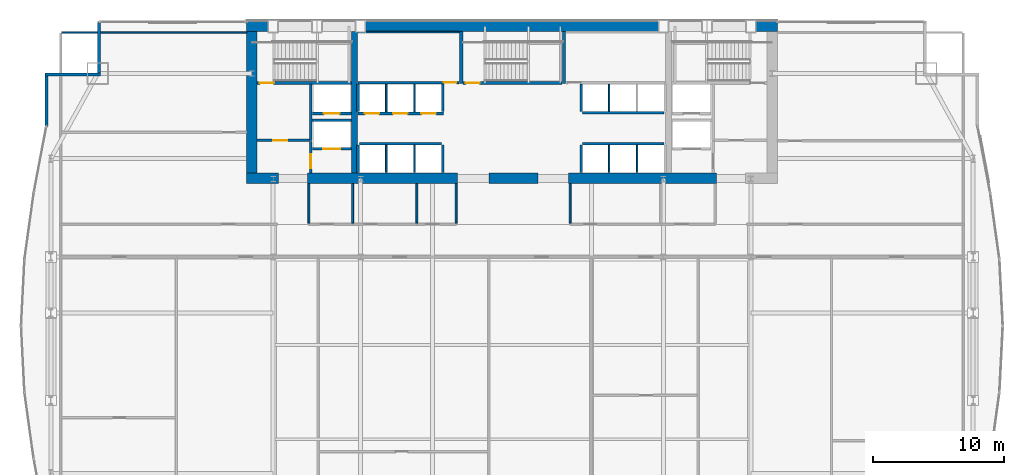
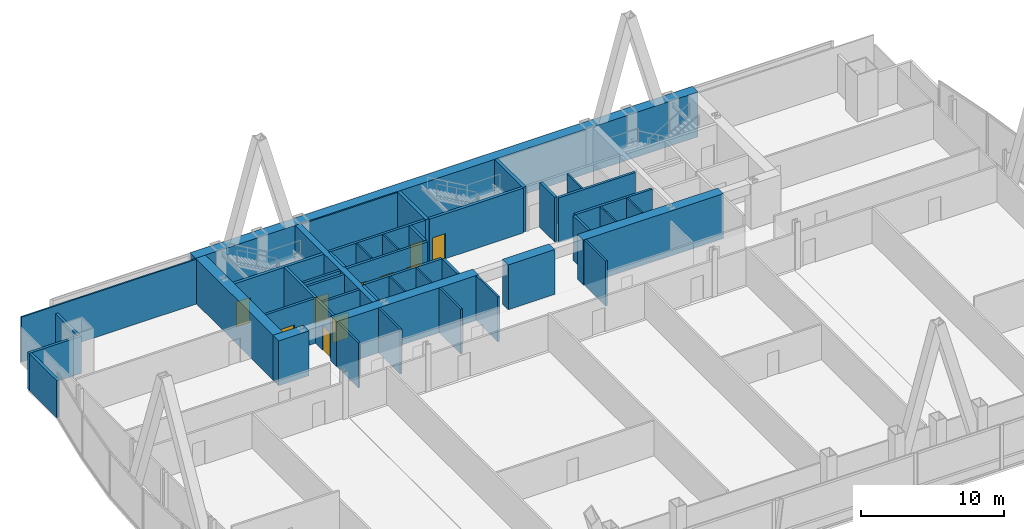
# One storey, part 32 of 37: 45 walls, 10 doors, 10 openings.
"""IFC4 building model written with IfcOpenShell, lengths in metres."""

from ifc_helpers import new_model, si_unit, direction, frame, frame_2d, origin, place, context, subcontext, project, spatial, rectangle, extrude, material, layer, layer_set, type_object, element, fill, save


model = new_model("IFC4")

# Units and contexts
model_context = context("Model", 3, precision=1e-05, world=origin(), true_north=direction((0.0, 1.0)))
body_context = subcontext(model_context, "Body", "Model", "MODEL_VIEW")
ifc_project = project(units=[si_unit("LENGTHUNIT", "METRE"), si_unit("AREAUNIT", "SQUARE_METRE"), si_unit("VOLUMEUNIT", "CUBIC_METRE"), si_unit("PLANEANGLEUNIT", "RADIAN"), si_unit("MASSUNIT", "GRAM", prefix="KILO")], contexts=[model_context])

# Site, building, storey
site_placement = place(None, origin())
site = spatial("IfcSite", under=ifc_project, at=site_placement, CompositionType="ELEMENT")
building_placement = place(site_placement, origin())
building = spatial("IfcBuilding", under=site, at=building_placement, Name="Khoronbel Lancet Exchange", CompositionType="ELEMENT")
storey_placement = place(building_placement, frame((0.0, 0.0, 61.800048828125)))
storey = spatial("IfcBuildingStorey", under=building, at=storey_placement, Name="L14", CompositionType="ELEMENT", Elevation=61.800048828125)

# Walls
ifc_material_1 = material(Name="Concrete C80/95", Category="concrete")
ifc_layer_1 = layer(ifc_material_1, 0.800048828125, Name="Concrete C80/95")
ifc_layer_set_1 = layer_set([ifc_layer_1], Name="Concrete C80/95")
wall_type_1 = type_object("IfcWallType", Name="WL-CW1", PredefinedType="SHEAR", material=ifc_layer_set_1)
wall_1_placement = place(storey_placement, frame((16.199951171875, 53.300048828125, 0.0), z_axis=(0.0, 0.0, 1.0), x_axis=(1.0, 0.0, 0.0)))
element("IfcWall", 1, at=wall_1_placement, inside=storey, type_object=wall_type_1, Name="Level L14 rear core north shear wall", PredefinedType="SHEAR", context=body_context, shape_type="SweptSolid", body=[
    extrude(rectangle(XDim=40.5, YDim=0.800048828125, at=frame_2d((20.25, 0.0))), origin(), (0.0, 0.0, 1.0), 3.820068359375),
])
wall_2_placement = place(storey_placement, frame((16.60009765625, 42.10009765625, 0.0), z_axis=(0.0, 0.0, 1.0), x_axis=(0.0, 1.0, 0.0)))
element("IfcWall", 2, at=wall_2_placement, inside=storey, type_object=wall_type_1, Name="Level L14 rear core west shear wall", PredefinedType="SHEAR", context=body_context, shape_type="SweptSolid", body=[
    extrude(rectangle(XDim=10.7998046875, YDim=0.800048828125, at=frame_2d((5.39990234375, 0.0))), origin(), (0.0, 0.0, 1.0), 3.820068359375),
])
wall_3_placement = place(storey_placement, frame((18.64990234375, 41.699951171875, 0.0), z_axis=(0.0, 0.0, 1.0), x_axis=(-1.0, 0.0, 0.0)))
element("IfcWall", 3, at=wall_3_placement, inside=storey, type_object=wall_type_1, Name="Level L14 rear core south shear wall pier P1", PredefinedType="SHEAR", context=body_context, shape_type="SweptSolid", body=[
    extrude(rectangle(XDim=2.449951171875, YDim=0.800048828125, at=frame_2d((1.22509765625, 0.0))), origin(), (0.0, 0.0, 1.0), 3.820068359375),
])
wall_4_placement = place(storey_placement, frame((32.300048828125, 41.699951171875, 0.0), z_axis=(0.0, 0.0, 1.0), x_axis=(-1.0, 0.0, 0.0)))
element("IfcWall", 4, at=wall_4_placement, inside=storey, type_object=wall_type_1, Name="Level L14 rear core south shear wall pier P2", PredefinedType="SHEAR", context=body_context, shape_type="SweptSolid", body=[
    extrude(rectangle(XDim=11.449951171875, YDim=0.800048828125, at=frame_2d((5.72509765625, 0.0))), origin(), (0.0, 0.0, 1.0), 3.820068359375),
])
wall_5_placement = place(storey_placement, frame((38.449951171875, 41.699951171875, 0.0), z_axis=(0.0, 0.0, 1.0), x_axis=(-1.0, 0.0, 0.0)))
element("IfcWall", 5, at=wall_5_placement, inside=storey, type_object=wall_type_1, Name="Level L14 rear core south shear wall pier P3", PredefinedType="SHEAR", context=body_context, shape_type="SweptSolid", body=[
    extrude(rectangle(XDim=3.75, YDim=0.800048828125, at=frame_2d((1.875, 0.0))), origin(), (0.0, 0.0, 1.0), 3.820068359375),
])
wall_6_placement = place(storey_placement, frame((52.050048828125, 41.699951171875, 0.0), z_axis=(0.0, 0.0, 1.0), x_axis=(-1.0, 0.0, 0.0)))
element("IfcWall", 6, at=wall_6_placement, inside=storey, type_object=wall_type_1, Name="Level L14 rear core south shear wall pier P4", PredefinedType="SHEAR", context=body_context, shape_type="SweptSolid", body=[
    extrude(rectangle(XDim=11.300048828125, YDim=0.800048828125, at=frame_2d((5.64990234375, 0.0))), origin(), (0.0, 0.0, 1.0), 3.820068359375),
])
ifc_material_2 = material(Name="Precast concrete C40/50", Category="concrete")
ifc_layer_2 = layer(ifc_material_2, 0.25, Name="Precast concrete C40/50")
ifc_layer_set_2 = layer_set([ifc_layer_2], Name="Precast concrete C40/50")
wall_type_2 = type_object("IfcWallType", Name="WL-EXT250", PredefinedType="SOLIDWALL", material=ifc_layer_set_2)
wall_7_placement = place(storey_placement, frame((0.93994140625, 45.67138671875, 0.0), z_axis=(0.0, 0.0, 1.0), x_axis=(0.0, 1.0, 0.0)))
element("IfcWall", 7, at=wall_7_placement, inside=storey, type_object=wall_type_2, Name="Level L14 notched-corner limestone pier 10", PredefinedType="SOLIDWALL", context=body_context, shape_type="SweptSolid", body=[
    extrude(rectangle(XDim=3.82861328125, YDim=0.219970703125, at=frame_2d((1.914306640625, 0.0))), origin(), (0.0, 0.0, 1.0), 3.159912109375),
])
wall_8_placement = place(storey_placement, frame((0.830078125, 49.610107421875, 0.0), z_axis=(0.0, 0.0, 1.0), x_axis=(1.0, 0.0, 0.0)))
element("IfcWall", 8, at=wall_8_placement, inside=storey, type_object=wall_type_2, Name="Level L14 notched-corner limestone pier 11", PredefinedType="SOLIDWALL", context=body_context, shape_type="SweptSolid", body=[
    extrude(rectangle(XDim=4.219970703125, YDim=0.219970703125, at=frame_2d((2.10986328125, 0.0))), origin(), (0.0, 0.0, 1.0), 3.159912109375),
])
wall_9_placement = place(storey_placement, frame((4.93994140625, 49.719970703125, 0.0), z_axis=(0.0, 0.0, 1.0), x_axis=(0.0, 1.0, 0.0)))
element("IfcWall", 9, at=wall_9_placement, inside=storey, type_object=wall_type_2, Name="Level L14 notched-corner limestone pier 12", PredefinedType="SOLIDWALL", context=body_context, shape_type="SweptSolid", body=[
    extrude(rectangle(XDim=3.909912109375, YDim=0.219970703125, at=frame_2d((1.955078125, 0.0))), origin(), (0.0, 0.0, 1.0), 3.159912109375),
])
ifc_material_3 = material(Name="Acoustic Metal-Stud & Mineral-Wool Gypsum Partition 120 mm", Category="gypsum")
ifc_layer_3 = layer(ifc_material_3, 0.1201171875, Name="Acoustic Metal-Stud & Mineral-Wool Gypsum Partition 120 mm")
ifc_layer_set_3 = layer_set([ifc_layer_3], Name="Acoustic Metal-Stud & Mineral-Wool Gypsum Partition 120 mm")
wall_type_3 = type_object("IfcWallType", Name="WL-PRT120", PredefinedType="PARTITIONING", material=ifc_layer_set_3)
for number, where, z_axis, x_axis, name in (
    (10, (20.949951171875, 38.280029296875, 0.0), (0.0, 0.0, 1.0), (0.0, 1.0, 0.0), "Level L14 interior partition PW-WC-0"),
    (11, (24.300048828125, 38.280029296875, 0.0), (0.0, 0.0, 1.0), (0.0, 1.0, 0.0), "Level L14 interior partition PW-WC-1"),
    (12, (29.199951171875, 38.280029296875, 0.0), (0.0, 0.0, 1.0), (0.0, 1.0, 0.0), "Level L14 interior partition PW-WC-2"),
    (13, (32.179931640625, 38.280029296875, 0.0), (0.0, 0.0, 1.0), (0.0, 1.0, 0.0), "Level L14 interior partition PW-WC-3"),
    (14, (40.8798828125, 38.280029296875, 0.0), (0.0, 0.0, 1.0), (0.0, 1.0, 0.0), "Level L14 interior partition PW-NP-0"),
):
    element("IfcWall", number, at=place(storey_placement, frame(where, z_axis=z_axis, x_axis=x_axis)), inside=storey, type_object=wall_type_3, Name=name, PredefinedType="PARTITIONING", context=body_context, shape_type="SweptSolid", body=[
        extrude(rectangle(XDim=3.02001953125, YDim=0.14990234375, at=frame_2d((1.510009765625, 0.0))), origin(), (0.0, 0.0, 1.0), 3.820068359375),
    ])
wall_10_placement = place(storey_placement, frame((2.094970703125, 52.840087890625, 0.0), z_axis=(0.0, 0.0, 1.0), x_axis=(1.0, 0.0, 0.0)))
element("IfcWall", 15, at=wall_10_placement, inside=storey, type_object=wall_type_3, Name="Level L14 interior partition PW-LIN-NW", PredefinedType="PARTITIONING", context=body_context, shape_type="SweptSolid", body=[
    extrude(rectangle(XDim=14.10498046875, YDim=0.1201171875, at=frame_2d((7.052490234375, 0.0))), origin(), (0.0, 0.0, 1.0), 3.820068359375),
])
ifc_material_4 = material(Name="Fire-Rated Metal-Stud & Mineral-Wool Gypsum Partition 120 mm", Category="gypsum")
ifc_layer_4 = layer(ifc_material_4, 0.1201171875, Name="Fire-Rated Metal-Stud & Mineral-Wool Gypsum Partition 120 mm")
ifc_layer_set_4 = layer_set([ifc_layer_4], Name="Fire-Rated Metal-Stud & Mineral-Wool Gypsum Partition 120 mm")
wall_type_4 = type_object("IfcWallType", Name="WL-PRT120F", PredefinedType="PARTITIONING", material=ifc_layer_set_4)
for number, where, z_axis, x_axis, name in (
    (16, (26.860107421875, 46.800048828125, 0.0), (0.0, 0.0, 1.0), (0.0, 1.0, 0.0), "Level L14 interior partition CW-PL-D1"),
    (17, (29.02001953125, 46.800048828125, 0.0), (0.0, 0.0, 1.0), (0.0, 1.0, 0.0), "Level L14 interior partition CW-PL-D2"),
):
    element("IfcWall", number, at=place(storey_placement, frame(where, z_axis=z_axis, x_axis=x_axis)), inside=storey, type_object=wall_type_4, Name=name, PredefinedType="PARTITIONING", context=body_context, shape_type="SweptSolid", body=[
        extrude(rectangle(XDim=2.094970703125, YDim=0.1201171875, at=frame_2d((1.04736328125, 0.0))), origin(), (0.0, 0.0, 1.0), 3.820068359375),
    ])
for number, where, z_axis, x_axis, name in (
    (18, (26.860107421875, 42.14990234375, 0.0), (0.0, 0.0, 1.0), (0.0, 1.0, 0.0), "Level L14 interior partition CW-PM-D1"),
    (19, (29.02001953125, 42.14990234375, 0.0), (0.0, 0.0, 1.0), (0.0, 1.0, 0.0), "Level L14 interior partition CW-PM-D2"),
):
    element("IfcWall", number, at=place(storey_placement, frame(where, z_axis=z_axis, x_axis=x_axis)), inside=storey, type_object=wall_type_4, Name=name, PredefinedType="PARTITIONING", context=body_context, shape_type="SweptSolid", body=[
        extrude(rectangle(XDim=2.09521484375, YDim=0.1201171875, at=frame_2d((1.047607421875, 0.0))), origin(), (0.0, 0.0, 1.0), 3.820068359375),
    ])
wall_11_placement = place(storey_placement, frame((43.860107421875, 46.804931640625, 0.0), z_axis=(0.0, 0.0, 1.0), x_axis=(0.0, 1.0, 0.0)))
element("IfcWall", 20, at=wall_11_placement, inside=storey, type_object=wall_type_4, Name="Level L14 interior partition CW-PH-D1", PredefinedType="PARTITIONING", context=body_context, shape_type="SweptSolid", body=[
    extrude(rectangle(XDim=2.090087890625, YDim=0.1201171875, at=frame_2d((1.044921875, 0.0))), origin(), (0.0, 0.0, 1.0), 3.820068359375),
])
for number, where, z_axis, x_axis, name in (
    (21, (43.860107421875, 42.14990234375, 0.0), (0.0, 0.0, 1.0), (0.0, 1.0, 0.0), "Level L14 interior partition CW-PX-D1"),
    (22, (46.0, 42.14990234375, 0.0), (0.0, 0.0, 1.0), (0.0, 1.0, 0.0), "Level L14 interior partition CW-PX-D2"),
):
    element("IfcWall", number, at=place(storey_placement, frame(where, z_axis=z_axis, x_axis=x_axis)), inside=storey, type_object=wall_type_4, Name=name, PredefinedType="PARTITIONING", context=body_context, shape_type="SweptSolid", body=[
        extrude(rectangle(XDim=2.09521484375, YDim=0.1201171875, at=frame_2d((1.047607421875, 0.0))), origin(), (0.0, 0.0, 1.0), 3.820068359375),
    ])
wall_12_placement = place(storey_placement, frame((24.699951171875, 52.860107421875, 0.0), z_axis=(0.0, 0.0, 1.0), x_axis=(1.0, 0.0, 0.0)))
element("IfcWall", 23, at=wall_12_placement, inside=storey, type_object=wall_type_4, Name="Level L14 interior partition CW-SUP-NW-N", PredefinedType="PARTITIONING", context=body_context, shape_type="SweptSolid", body=[
    extrude(rectangle(XDim=7.719970703125, YDim=0.1201171875, at=frame_2d((3.85986328125, 0.0))), origin(), (0.0, 0.0, 1.0), 3.820068359375),
])

# Wall, opening, door
ifc_material_5 = material(Name="Autoclaved Aerated Concrete Blockwork 200 mm", Category="masonry")
ifc_layer_5 = layer(ifc_material_5, 0.199951171875, Name="Autoclaved Aerated Concrete Blockwork 200 mm")
ifc_layer_set_5 = layer_set([ifc_layer_5], Name="Autoclaved Aerated Concrete Blockwork 200 mm")
wall_type_5 = type_object("IfcWallType", Name="WL-PRT200", PredefinedType="PARTITIONING", material=ifc_layer_set_5)
wall_13_placement = place(storey_placement, frame((24.2099609375, 43.949951171875, 0.0), z_axis=(0.0, 0.0, 1.0), x_axis=(-1.0, 0.0, 0.0)))
wall_13 = element("IfcWall", 24, at=wall_13_placement, inside=storey, type_object=wall_type_5, Name="Level L14 elevator hoistway landing front wall SVLW", PredefinedType="PARTITIONING", context=body_context, shape_type="SweptSolid", body=[
    extrude(rectangle(XDim=2.969970703125, YDim=0.199951171875, at=frame_2d((1.48486328125, 0.0))), origin(), (0.0, 0.0, 1.0), 3.820068359375),
])
opening_1_placement = place(wall_13_placement, frame((0.860107421875, 0.0, 0.0)))
opening_1 = element("IfcOpeningElement", 25, at=opening_1_placement, cuts=wall_13, Name="Opening LD-SVL1", PredefinedType="OPENING", context=body_context, shape_type="SweptSolid", body=[
    extrude(rectangle(XDim=1.300048828125, YDim=2.179931640625, at=frame_2d((0.64990234375, 1.08984375))), frame((0.0, 0.10986328125, 0.0), z_axis=(0.0, -1.0, 0.0), x_axis=(1.0, 0.0, 0.0)), (0.0, 0.0, 1.0), 0.219970703125),
])
ifc_material_6 = material(Name="Heavy-Duty Bi-Parting Goods Lift Landing Door", Category="steel")
door_type_1 = type_object("IfcDoorType", Name="DR-LD-SVL", OperationType="NOTDEFINED", PredefinedType="DOOR", material=ifc_material_6)
door_1_placement = place(opening_1_placement, origin())
door_1 = element("IfcDoor", 26, at=door_1_placement, inside=storey, type_object=door_type_1, Name="Elevator landing sliding door LD-SVL1 L14", OperationType="SLIDING_TO_LEFT", OverallHeight=2.179931640625, OverallWidth=1.300048828125, PredefinedType="DOOR", context=body_context, shape_type="SweptSolid", body=[
    extrude(rectangle(XDim=1.300048828125, YDim=2.179931640625, at=frame_2d((0.64990234375, 1.08984375))), frame((0.0, 0.02490234375, 0.0), z_axis=(0.0, -1.0, 0.0), x_axis=(1.0, 0.0, 0.0)), (0.0, 0.0, 1.0), 0.050048828125),
])
fill(opening_1, door_1)

wall_14_placement = place(storey_placement, frame((24.2099609375, 46.64990234375, 0.0), z_axis=(0.0, 0.0, 1.0), x_axis=(-1.0, 0.0, 0.0)))
wall_14 = element("IfcWall", 27, at=wall_14_placement, inside=storey, type_object=wall_type_5, Name="Level L14 elevator hoistway landing front wall FFLW", PredefinedType="PARTITIONING", context=body_context, shape_type="SweptSolid", body=[
    extrude(rectangle(XDim=2.969970703125, YDim=0.199951171875, at=frame_2d((1.48486328125, 0.0))), origin(), (0.0, 0.0, 1.0), 3.820068359375),
])
opening_2_placement = place(wall_14_placement, frame((0.909912109375, 0.0, 0.0)))
opening_2 = element("IfcOpeningElement", 28, at=opening_2_placement, cuts=wall_14, Name="Opening LD-FFL1", PredefinedType="OPENING", context=body_context, shape_type="SweptSolid", body=[
    extrude(rectangle(XDim=1.199951171875, YDim=2.179931640625, at=frame_2d((0.60009765625, 1.08984375))), frame((0.0, 0.10986328125, 0.0), z_axis=(0.0, -1.0, 0.0), x_axis=(1.0, 0.0, 0.0)), (0.0, 0.0, 1.0), 0.219970703125),
])
ifc_material_7 = material(Name="Fire-Rated Stainless Bi-Parting Firefighting Lift Door", Category="steel")
door_type_2 = type_object("IfcDoorType", Name="DR-LD-FFL", OperationType="NOTDEFINED", PredefinedType="DOOR", material=ifc_material_7)
door_2_placement = place(opening_2_placement, origin())
door_2 = element("IfcDoor", 29, at=door_2_placement, inside=storey, type_object=door_type_2, Name="Elevator landing sliding door LD-FFL1 L14", OperationType="SLIDING_TO_LEFT", OverallHeight=2.179931640625, OverallWidth=1.199951171875, PredefinedType="DOOR", context=body_context, shape_type="SweptSolid", body=[
    extrude(rectangle(XDim=1.199951171875, YDim=2.179931640625, at=frame_2d((0.60009765625, 1.08984375))), frame((0.0, 0.02490234375, 0.0), z_axis=(0.0, -1.0, 0.0), x_axis=(1.0, 0.0, 0.0)), (0.0, 0.0, 1.0), 0.050048828125),
])
fill(opening_2, door_2)

# Wall, openings, doors
wall_15_placement = place(storey_placement, frame((31.219970703125, 46.64990234375, 0.0), z_axis=(0.0, 0.0, 1.0), x_axis=(-1.0, 0.0, 0.0)))
wall_15 = element("IfcWall", 30, at=wall_15_placement, inside=storey, type_object=wall_type_5, Name="Level L14 elevator hoistway landing front wall PLW", PredefinedType="PARTITIONING", context=body_context, shape_type="SweptSolid", body=[
    extrude(rectangle(XDim=6.530029296875, YDim=0.199951171875, at=frame_2d((3.26513671875, 0.0))), origin(), (0.0, 0.0, 1.0), 3.820068359375),
])
opening_3_placement = place(wall_15_placement, frame((4.89990234375, 0.0, 0.0)))
opening_3 = element("IfcOpeningElement", 31, at=opening_3_placement, cuts=wall_15, Name="Opening LD-PL1", PredefinedType="OPENING", context=body_context, shape_type="SweptSolid", body=[
    extrude(rectangle(XDim=1.10009765625, YDim=2.179931640625, at=frame_2d((0.550048828125, 1.08984375))), frame((0.0, 0.10986328125, 0.0), z_axis=(0.0, -1.0, 0.0), x_axis=(1.0, 0.0, 0.0)), (0.0, 0.0, 1.0), 0.219970703125),
])
opening_4_placement = place(wall_15_placement, frame((2.739990234375, 0.0, 0.0)))
opening_4 = element("IfcOpeningElement", 32, at=opening_4_placement, cuts=wall_15, Name="Opening LD-PL2", PredefinedType="OPENING", context=body_context, shape_type="SweptSolid", body=[
    extrude(rectangle(XDim=1.10009765625, YDim=2.179931640625, at=frame_2d((0.550048828125, 1.08984375))), frame((0.0, 0.10986328125, 0.0), z_axis=(0.0, -1.0, 0.0), x_axis=(1.0, 0.0, 0.0)), (0.0, 0.0, 1.0), 0.219970703125),
])
opening_5_placement = place(wall_15_placement, frame((0.580078125, 0.0, 0.0)))
opening_5 = element("IfcOpeningElement", 33, at=opening_5_placement, cuts=wall_15, Name="Opening LD-PL3", PredefinedType="OPENING", context=body_context, shape_type="SweptSolid", body=[
    extrude(rectangle(XDim=1.10009765625, YDim=2.179931640625, at=frame_2d((0.550048828125, 1.08984375))), frame((0.0, 0.10986328125, 0.0), z_axis=(0.0, -1.0, 0.0), x_axis=(1.0, 0.0, 0.0)), (0.0, 0.0, 1.0), 0.219970703125),
])
ifc_material_8 = material(Name="Brushed Bronze Bi-Parting Elevator Landing Door", Category="steel")
door_type_3 = type_object("IfcDoorType", Name="DR-LD-PAX", OperationType="NOTDEFINED", PredefinedType="DOOR", material=ifc_material_8)
door_3_placement = place(opening_3_placement, origin())
door_3 = element("IfcDoor", 34, at=door_3_placement, inside=storey, type_object=door_type_3, Name="Elevator landing sliding door LD-PL1 L14", OperationType="SLIDING_TO_LEFT", OverallHeight=2.179931640625, OverallWidth=1.10009765625, PredefinedType="DOOR", context=body_context, shape_type="SweptSolid", body=[
    extrude(rectangle(XDim=1.10009765625, YDim=2.179931640625, at=frame_2d((0.550048828125, 1.08984375))), frame((0.0, 0.02490234375, 0.0), z_axis=(0.0, -1.0, 0.0), x_axis=(1.0, 0.0, 0.0)), (0.0, 0.0, 1.0), 0.050048828125),
])
fill(opening_3, door_3)
door_4_placement = place(opening_4_placement, origin())
door_4 = element("IfcDoor", 35, at=door_4_placement, inside=storey, type_object=door_type_3, Name="Elevator landing sliding door LD-PL2 L14", OperationType="SLIDING_TO_LEFT", OverallHeight=2.179931640625, OverallWidth=1.10009765625, PredefinedType="DOOR", context=body_context, shape_type="SweptSolid", body=[
    extrude(rectangle(XDim=1.10009765625, YDim=2.179931640625, at=frame_2d((0.550048828125, 1.08984375))), frame((0.0, 0.02490234375, 0.0), z_axis=(0.0, -1.0, 0.0), x_axis=(1.0, 0.0, 0.0)), (0.0, 0.0, 1.0), 0.050048828125),
])
fill(opening_4, door_4)
door_5_placement = place(opening_5_placement, origin())
door_5 = element("IfcDoor", 36, at=door_5_placement, inside=storey, type_object=door_type_3, Name="Elevator landing sliding door LD-PL3 L14", OperationType="SLIDING_TO_LEFT", OverallHeight=2.179931640625, OverallWidth=1.10009765625, PredefinedType="DOOR", context=body_context, shape_type="SweptSolid", body=[
    extrude(rectangle(XDim=1.10009765625, YDim=2.179931640625, at=frame_2d((0.550048828125, 1.08984375))), frame((0.0, 0.02490234375, 0.0), z_axis=(0.0, -1.0, 0.0), x_axis=(1.0, 0.0, 0.0)), (0.0, 0.0, 1.0), 0.050048828125),
])
fill(opening_5, door_5)

# Wall
wall_16_placement = place(storey_placement, frame((21.10009765625, 44.60009765625, 0.0), z_axis=(0.0, 0.0, 1.0), x_axis=(0.0, 1.0, 0.0)))
element("IfcWall", 37, at=wall_16_placement, inside=storey, type_object=wall_type_5, Name="Level L14 interior partition CW-FFLW-E", PredefinedType="PARTITIONING", context=body_context, shape_type="SweptSolid", body=[
    extrude(rectangle(XDim=4.2998046875, YDim=0.199951171875, at=frame_2d((2.14990234375, 0.0))), origin(), (0.0, 0.0, 1.0), 3.820068359375),
])

# Wall, opening, door
wall_17_placement = place(storey_placement, frame((17.0, 44.60009765625, 0.0), z_axis=(0.0, 0.0, 1.0), x_axis=(1.0, 0.0, 0.0)))
wall_17 = element("IfcWall", 38, at=wall_17_placement, inside=storey, type_object=wall_type_5, Name="Level L14 interior partition CW-FFLW-S", PredefinedType="PARTITIONING", context=body_context, shape_type="SweptSolid", body=[
    extrude(rectangle(XDim=4.0, YDim=0.199951171875, at=frame_2d((2.0, 0.0))), origin(), (0.0, 0.0, 1.0), 3.820068359375),
])
opening_6_placement = place(wall_17_placement, frame((1.25, 0.0, 0.0)))
opening_6 = element("IfcOpeningElement", 39, at=opening_6_placement, cuts=wall_17, Name="Opening FD1", PredefinedType="OPENING", context=body_context, shape_type="SweptSolid", body=[
    extrude(rectangle(XDim=1.050048828125, YDim=2.14990234375, at=frame_2d((0.52490234375, 1.074951171875))), frame((0.0, 0.10986328125, 0.0), z_axis=(0.0, -1.0, 0.0), x_axis=(1.0, 0.0, 0.0)), (0.0, 0.0, 1.0), 0.219970703125),
])
ifc_material_9 = material(Name="Fire-Rated Painted Steel Door Assembly", Category="steel")
door_type_4 = type_object("IfcDoorType", Name="DR-FD1", OperationType="NOTDEFINED", PredefinedType="DOOR", material=ifc_material_9)
door_6_placement = place(opening_6_placement, origin())
door_6 = element("IfcDoor", 40, at=door_6_placement, inside=storey, type_object=door_type_4, Name="West firefighting lobby FD90S door L14-1", OperationType="SINGLE_SWING_RIGHT", OverallHeight=2.14990234375, OverallWidth=1.050048828125, PredefinedType="DOOR", context=body_context, shape_type="SweptSolid", body=[
    extrude(rectangle(XDim=1.050048828125, YDim=2.14990234375, at=frame_2d((0.52490234375, 1.074951171875))), frame((0.0, 0.02490234375, 0.0), z_axis=(0.0, -1.0, 0.0), x_axis=(1.0, 0.0, 0.0)), (0.0, 0.0, 1.0), 0.050048828125),
])
fill(opening_6, door_6)

# Wall
wall_18_placement = place(storey_placement, frame((21.199951171875, 46.1201171875, 0.0), z_axis=(0.0, 0.0, 1.0), x_axis=(1.0, 0.0, 0.0)))
element("IfcWall", 41, at=wall_18_placement, inside=storey, type_object=wall_type_5, Name="Level L14 interior partition CW-FFL1-S", PredefinedType="PARTITIONING", context=body_context, shape_type="SweptSolid", body=[
    extrude(rectangle(XDim=3.02001953125, YDim=0.199951171875, at=frame_2d((1.510009765625, 0.0))), origin(), (0.0, 0.0, 1.0), 3.820068359375),
])

# Wall, opening, door
wall_19_placement = place(storey_placement, frame((21.10009765625, 42.10009765625, 0.0), z_axis=(0.0, 0.0, 1.0), x_axis=(0.0, 1.0, 0.0)))
wall_19 = element("IfcWall", 42, at=wall_19_placement, inside=storey, type_object=wall_type_5, Name="Level L14 interior partition CW-SVLW-W", PredefinedType="PARTITIONING", context=body_context, shape_type="SweptSolid", body=[
    extrude(rectangle(XDim=2.39501953125, YDim=0.199951171875, at=frame_2d((1.197509765625, 0.0))), origin(), (0.0, 0.0, 1.0), 3.820068359375),
])
opening_7_placement = place(wall_19_placement, frame((0.3798828125, 0.0, 0.0)))
opening_7 = element("IfcOpeningElement", 43, at=opening_7_placement, cuts=wall_19, Name="Opening FD1", PredefinedType="OPENING", context=body_context, shape_type="SweptSolid", body=[
    extrude(rectangle(XDim=1.050048828125, YDim=2.14990234375, at=frame_2d((0.52490234375, 1.074951171875))), frame((0.0, 0.10986328125, 0.0), z_axis=(0.0, -1.0, 0.0), x_axis=(1.0, 0.0, 0.0)), (0.0, 0.0, 1.0), 0.219970703125),
])
door_7_placement = place(opening_7_placement, origin())
door_7 = element("IfcDoor", 44, at=door_7_placement, inside=storey, type_object=door_type_4, Name="West service lift lobby door L14-1", OperationType="SINGLE_SWING_LEFT", OverallHeight=2.14990234375, OverallWidth=1.050048828125, PredefinedType="DOOR", context=body_context, shape_type="SweptSolid", body=[
    extrude(rectangle(XDim=1.050048828125, YDim=2.14990234375, at=frame_2d((0.52490234375, 1.074951171875))), frame((0.0, 0.02490234375, 0.0), z_axis=(0.0, -1.0, 0.0), x_axis=(1.0, 0.0, 0.0)), (0.0, 0.0, 1.0), 0.050048828125),
])
fill(opening_7, door_7)

# Walls
for number, where, z_axis, x_axis, name in (
    (45, (24.699951171875, 46.800048828125, 0.0), (0.0, 0.0, 1.0), (0.0, 1.0, 0.0), "Level L14 interior partition CW-PL-W"),
    (46, (31.179931640625, 46.800048828125, 0.0), (0.0, 0.0, 1.0), (0.0, 1.0, 0.0), "Level L14 interior partition CW-PL-E"),
):
    element("IfcWall", number, at=place(storey_placement, frame(where, z_axis=z_axis, x_axis=x_axis)), inside=storey, type_object=wall_type_5, Name=name, PredefinedType="PARTITIONING", context=body_context, shape_type="SweptSolid", body=[
        extrude(rectangle(XDim=2.094970703125, YDim=0.199951171875, at=frame_2d((1.04736328125, 0.0))), origin(), (0.0, 0.0, 1.0), 3.820068359375),
    ])
wall_20_placement = place(storey_placement, frame((24.804931640625, 44.35009765625, 0.0), z_axis=(0.0, 0.0, 1.0), x_axis=(1.0, 0.0, 0.0)))
element("IfcWall", 47, at=wall_20_placement, inside=storey, type_object=wall_type_5, Name="Level L14 interior partition CW-PM-EXP", PredefinedType="PARTITIONING", context=body_context, shape_type="SweptSolid", body=[
    extrude(rectangle(XDim=6.27001953125, YDim=0.199951171875, at=frame_2d((3.135009765625, 0.0))), origin(), (0.0, 0.0, 1.0), 3.820068359375),
])
for number, where, z_axis, x_axis, name in (
    (48, (24.699951171875, 42.14990234375, 0.0), (0.0, 0.0, 1.0), (0.0, 1.0, 0.0), "Level L14 interior partition CW-PM-W"),
    (49, (31.179931640625, 42.14990234375, 0.0), (0.0, 0.0, 1.0), (0.0, 1.0, 0.0), "Level L14 interior partition CW-PM-E"),
):
    element("IfcWall", number, at=place(storey_placement, frame(where, z_axis=z_axis, x_axis=x_axis)), inside=storey, type_object=wall_type_5, Name=name, PredefinedType="PARTITIONING", context=body_context, shape_type="SweptSolid", body=[
        extrude(rectangle(XDim=2.09521484375, YDim=0.199951171875, at=frame_2d((1.047607421875, 0.0))), origin(), (0.0, 0.0, 1.0), 3.820068359375),
    ])
wall_21_placement = place(storey_placement, frame((41.824951171875, 46.699951171875, 0.0), z_axis=(0.0, 0.0, 1.0), x_axis=(1.0, 0.0, 0.0)))
element("IfcWall", 50, at=wall_21_placement, inside=storey, type_object=wall_type_5, Name="Level L14 interior partition CW-PH-EXP", PredefinedType="PARTITIONING", context=body_context, shape_type="SweptSolid", body=[
    extrude(rectangle(XDim=6.2099609375, YDim=0.199951171875, at=frame_2d((3.10498046875, 0.0))), origin(), (0.0, 0.0, 1.0), 3.820068359375),
])
wall_22_placement = place(storey_placement, frame((41.719970703125, 46.804931640625, 0.0), z_axis=(0.0, 0.0, 1.0), x_axis=(0.0, 1.0, 0.0)))
element("IfcWall", 51, at=wall_22_placement, inside=storey, type_object=wall_type_5, Name="Level L14 interior partition CW-PH-W", PredefinedType="PARTITIONING", context=body_context, shape_type="SweptSolid", body=[
    extrude(rectangle(XDim=2.090087890625, YDim=0.199951171875, at=frame_2d((1.044921875, 0.0))), origin(), (0.0, 0.0, 1.0), 3.820068359375),
])
wall_23_placement = place(storey_placement, frame((41.824951171875, 44.35009765625, 0.0), z_axis=(0.0, 0.0, 1.0), x_axis=(1.0, 0.0, 0.0)))
element("IfcWall", 52, at=wall_23_placement, inside=storey, type_object=wall_type_5, Name="Level L14 interior partition CW-PX-EXP", PredefinedType="PARTITIONING", context=body_context, shape_type="SweptSolid", body=[
    extrude(rectangle(XDim=6.2099609375, YDim=0.199951171875, at=frame_2d((3.10498046875, 0.0))), origin(), (0.0, 0.0, 1.0), 3.820068359375),
])
wall_24_placement = place(storey_placement, frame((41.719970703125, 42.14990234375, 0.0), z_axis=(0.0, 0.0, 1.0), x_axis=(0.0, 1.0, 0.0)))
element("IfcWall", 53, at=wall_24_placement, inside=storey, type_object=wall_type_5, Name="Level L14 interior partition CW-PX-W", PredefinedType="PARTITIONING", context=body_context, shape_type="SweptSolid", body=[
    extrude(rectangle(XDim=2.09521484375, YDim=0.199951171875, at=frame_2d((1.047607421875, 0.0))), origin(), (0.0, 0.0, 1.0), 3.820068359375),
])

# Wall, opening, door
wall_25_placement = place(storey_placement, frame((24.699951171875, 49.0, 0.0), z_axis=(0.0, 0.0, 1.0), x_axis=(1.0, 0.0, 0.0)))
wall_25 = element("IfcWall", 54, at=wall_25_placement, inside=storey, type_object=wall_type_5, Name="Level L14 interior partition CW-SUP-NW-S", PredefinedType="PARTITIONING", context=body_context, shape_type="SweptSolid", body=[
    extrude(rectangle(XDim=7.719970703125, YDim=0.199951171875, at=frame_2d((3.85986328125, 0.0))), origin(), (0.0, 0.0, 1.0), 3.820068359375),
])
opening_8_placement = place(wall_25_placement, frame((6.56005859375, 0.0, 0.0)))
opening_8 = element("IfcOpeningElement", 55, at=opening_8_placement, cuts=wall_25, Name="Opening FD3", PredefinedType="OPENING", context=body_context, shape_type="SweptSolid", body=[
    extrude(rectangle(XDim=0.949951171875, YDim=2.10009765625, at=frame_2d((0.47509765625, 1.050048828125))), frame((0.0, 0.10986328125, 0.0), z_axis=(0.0, -1.0, 0.0), x_axis=(1.0, 0.0, 0.0)), (0.0, 0.0, 1.0), 0.219970703125),
])
ifc_material_10 = material(Name="Fire-Rated Steel Plant & Riser Door Assembly", Category="steel")
door_type_5 = type_object("IfcDoorType", Name="DR-FD3", OperationType="NOTDEFINED", PredefinedType="DOOR", material=ifc_material_10)
door_8_placement = place(opening_8_placement, origin())
door_8 = element("IfcDoor", 56, at=door_8_placement, inside=storey, type_object=door_type_5, Name="Core NW support room door L14-1", OperationType="SINGLE_SWING_RIGHT", OverallHeight=2.10009765625, OverallWidth=0.949951171875, PredefinedType="DOOR", context=body_context, shape_type="SweptSolid", body=[
    extrude(rectangle(XDim=0.949951171875, YDim=2.10009765625, at=frame_2d((0.47509765625, 1.050048828125))), frame((0.0, 0.02490234375, 0.0), z_axis=(0.0, -1.0, 0.0), x_axis=(1.0, 0.0, 0.0)), (0.0, 0.0, 1.0), 0.050048828125),
])
fill(opening_8, door_8)

# Walls
ifc_layer_6 = layer(ifc_material_1, 0.449951171875, Name="Concrete C80/95")
ifc_layer_set_6 = layer_set([ifc_layer_6], Name="Concrete C80/95")
wall_type_6 = type_object("IfcWallType", Name="WL-SW1", PredefinedType="SHEAR", material=ifc_layer_set_6)
wall_26_placement = place(storey_placement, frame((24.449951171875, 42.10009765625, 0.0), z_axis=(0.0, 0.0, 1.0), x_axis=(0.0, 1.0, 0.0)))
element("IfcWall", 57, at=wall_26_placement, inside=storey, type_object=wall_type_6, Name="Level L14 rear core internal spine shear wall IW", PredefinedType="SHEAR", context=body_context, shape_type="SweptSolid", body=[
    extrude(rectangle(XDim=10.7998046875, YDim=0.449951171875, at=frame_2d((5.39990234375, 0.0))), origin(), (0.0, 0.0, 1.0), 3.820068359375),
])
ifc_material_11 = material(Name="Concrete C60/75", Category="concrete")
ifc_layer_7 = layer(ifc_material_11, 0.260009765625, Name="Concrete C60/75")
ifc_layer_set_7 = layer_set([ifc_layer_7], Name="Concrete C60/75")
wall_type_7 = type_object("IfcWallType", Name="WL-SW3", PredefinedType="SHEAR", material=ifc_layer_set_7)
for number, where, z_axis, x_axis, name in (
    (58, (32.580078125, 48.949951171875, 0.0), (0.0, 0.0, 1.0), (0.0, 1.0, 0.0), "Level L14 central stairwell structural shear wall ST3W"),
    (59, (40.419921875, 48.949951171875, 0.0), (0.0, 0.0, 1.0), (0.0, 1.0, 0.0), "Level L14 central stairwell structural shear wall ST3E"),
):
    element("IfcWall", number, at=place(storey_placement, frame(where, z_axis=z_axis, x_axis=x_axis)), inside=storey, type_object=wall_type_7, Name=name, PredefinedType="SHEAR", context=body_context, shape_type="SweptSolid", body=[
        extrude(rectangle(XDim=3.949951171875, YDim=0.260009765625, at=frame_2d((1.97509765625, 0.0))), origin(), (0.0, 0.0, 1.0), 3.820068359375),
    ])

# Wall, opening, door
wall_27_placement = place(storey_placement, frame((17.0, 48.97998046875, 0.0), z_axis=(0.0, 0.0, 1.0), x_axis=(1.0, 0.0, 0.0)))
wall_27 = element("IfcWall", 60, at=wall_27_placement, inside=storey, type_object=wall_type_7, Name="Level L14 west stairwell structural south wall", PredefinedType="SHEAR", context=body_context, shape_type="SweptSolid", body=[
    extrude(rectangle(XDim=7.219970703125, YDim=0.239990234375, at=frame_2d((3.60986328125, 0.0))), origin(), (0.0, 0.0, 1.0), 3.820068359375),
])
opening_9_placement = place(wall_27_placement, frame((0.219970703125, 0.0, 0.0)))
opening_9 = element("IfcOpeningElement", 61, at=opening_9_placement, cuts=wall_27, Name="Opening SD1", PredefinedType="OPENING", context=body_context, shape_type="SweptSolid", body=[
    extrude(rectangle(XDim=1.050048828125, YDim=2.14990234375, at=frame_2d((0.52490234375, 1.074951171875))), frame((0.0, 0.1298828125, 0.0), z_axis=(0.0, -1.0, 0.0), x_axis=(1.0, 0.0, 0.0)), (0.0, 0.0, 1.0), 0.260009765625),
])
ifc_material_12 = material(Name="Fire-Rated Steel Stairwell Door Assembly", Category="steel")
door_type_6 = type_object("IfcDoorType", Name="DR-SD1", OperationType="NOTDEFINED", PredefinedType="DOOR", material=ifc_material_12)
door_9_placement = place(opening_9_placement, origin())
door_9 = element("IfcDoor", 62, at=door_9_placement, inside=storey, type_object=door_type_6, Name="Protected exit stair ST1 door L14", OperationType="SINGLE_SWING_LEFT", OverallHeight=2.14990234375, OverallWidth=1.050048828125, PredefinedType="DOOR", context=body_context, shape_type="SweptSolid", body=[
    extrude(rectangle(XDim=1.050048828125, YDim=2.14990234375, at=frame_2d((0.52490234375, 1.074951171875))), frame((0.0, 0.02490234375, 0.0), z_axis=(0.0, -1.0, 0.0), x_axis=(1.0, 0.0, 0.0)), (0.0, 0.0, 1.0), 0.050048828125),
])
fill(opening_9, door_9)

wall_28_placement = place(storey_placement, frame((32.719970703125, 48.97998046875, 0.0), z_axis=(0.0, 0.0, 1.0), x_axis=(1.0, 0.0, 0.0)))
wall_28 = element("IfcWall", 63, at=wall_28_placement, inside=storey, type_object=wall_type_7, Name="Level L14 central stairwell structural south wall", PredefinedType="SHEAR", context=body_context, shape_type="SweptSolid", body=[
    extrude(rectangle(XDim=7.56005859375, YDim=0.239990234375, at=frame_2d((3.780029296875, 0.0))), origin(), (0.0, 0.0, 1.0), 3.820068359375),
])
opening_10_placement = place(wall_28_placement, frame((0.219970703125, 0.0, 0.0)))
opening_10 = element("IfcOpeningElement", 64, at=opening_10_placement, cuts=wall_28, Name="Opening SD1", PredefinedType="OPENING", context=body_context, shape_type="SweptSolid", body=[
    extrude(rectangle(XDim=1.050048828125, YDim=2.14990234375, at=frame_2d((0.52490234375, 1.074951171875))), frame((0.0, 0.1298828125, 0.0), z_axis=(0.0, -1.0, 0.0), x_axis=(1.0, 0.0, 0.0)), (0.0, 0.0, 1.0), 0.260009765625),
])
door_10_placement = place(opening_10_placement, origin())
door_10 = element("IfcDoor", 65, at=door_10_placement, inside=storey, type_object=door_type_6, Name="Protected exit stair ST3 door L14", OperationType="SINGLE_SWING_LEFT", OverallHeight=2.14990234375, OverallWidth=1.050048828125, PredefinedType="DOOR", context=body_context, shape_type="SweptSolid", body=[
    extrude(rectangle(XDim=1.050048828125, YDim=2.14990234375, at=frame_2d((0.52490234375, 1.074951171875))), frame((0.0, 0.02490234375, 0.0), z_axis=(0.0, -1.0, 0.0), x_axis=(1.0, 0.0, 0.0)), (0.0, 0.0, 1.0), 0.050048828125),
])
fill(opening_10, door_10)

save(model, "model.ifc")
